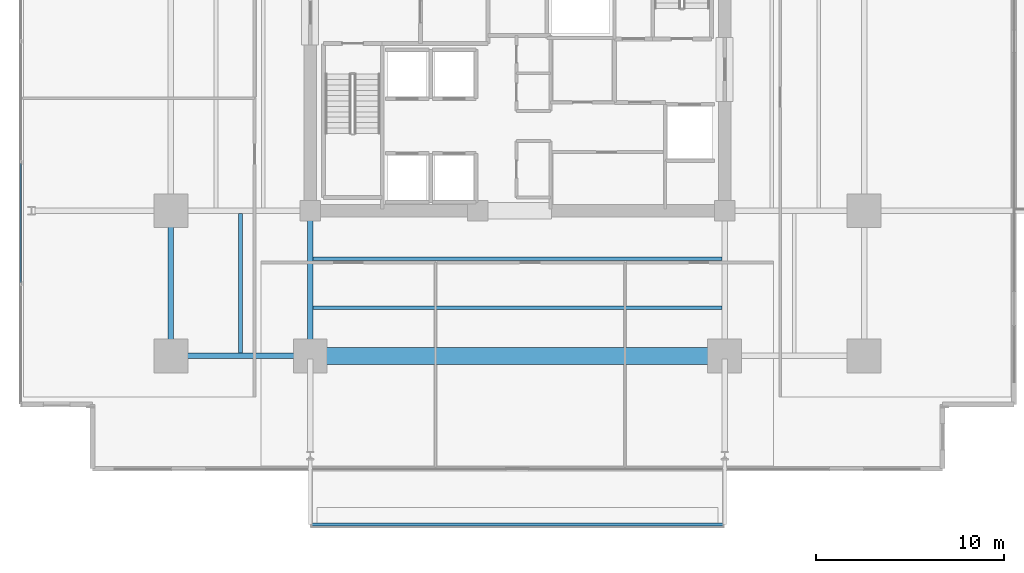
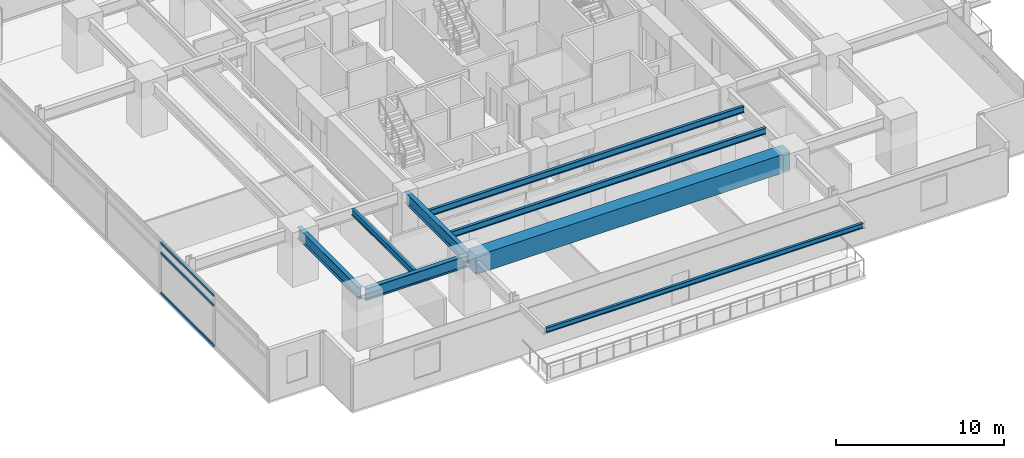
# One storey, part 3 of 23: 8 beams, 3 members, 1 element without a shape of its own.
"""IFC4 building model written with IfcOpenShell, lengths in metres."""

from ifc_helpers import new_model, si_unit, direction, frame, origin, origin_2d, place, context, subcontext, project, spatial, rectangle, hollow_rectangle, i_section, extrude, material, material_profile, profile_set, type_object, element, aggregate, save


model = new_model("IFC4")

# Units and contexts
model_context = context("Model", 3, precision=1e-05, world=origin(), true_north=direction((0.0, 1.0)))
body_context = subcontext(model_context, "Body", "Model", "MODEL_VIEW")
ifc_project = project(units=[si_unit("LENGTHUNIT", "METRE"), si_unit("AREAUNIT", "SQUARE_METRE"), si_unit("VOLUMEUNIT", "CUBIC_METRE"), si_unit("PLANEANGLEUNIT", "RADIAN"), si_unit("MASSUNIT", "GRAM", prefix="KILO")], contexts=[model_context])

# Site, building, storey
site_placement = place(None, origin())
site = spatial("IfcSite", under=ifc_project, at=site_placement, CompositionType="ELEMENT")
building_placement = place(site_placement, origin())
building = spatial("IfcBuilding", under=site, at=building_placement, Name="Kovane Verandah Tower", CompositionType="ELEMENT")
storey_placement = place(building_placement, frame((0.0, 0.0, 91.60009765625)))
storey = spatial("IfcBuildingStorey", under=building, at=storey_placement, Name="L21", CompositionType="ELEMENT", Elevation=91.60009765625)

# Beams
ifc_material_1 = material(Name="Concrete C80/95", Category="concrete")
ifc_material_profile_1 = material_profile(ifc_material_1, rectangle(XDim=0.89990234375, YDim=1.35009765625, at=origin_2d()), Name="RCB900x1350")
ifc_profile_set_1 = profile_set([ifc_material_profile_1], Name="Concrete C80/95")
beam_type_1 = type_object("IfcBeamType", Name="BM-TR-900x1350", PredefinedType="BEAM", material=ifc_profile_set_1)
beam_1_placement = place(storey_placement, frame((29.179931640625, 10.800048828125, 3.0849609375), z_axis=(1.0, 0.0, 0.0), x_axis=(0.0, 1.0, 0.0)))
element("IfcBeam", 1, at=beam_1_placement, inside=storey, type_object=beam_type_1, Name="L21 Primary Tower Girder G-RS2", PredefinedType="BEAM", context=body_context, shape_type="SweptSolid", body=[
    extrude(rectangle(XDim=0.89990234375, YDim=1.35009765625, at=origin_2d()), origin(), (0.0, 0.0, 1.0), 21.64013671875),
])
ifc_material_2 = material(Name="Steel S355", Category="steel")
ifc_material_profile_2 = material_profile(ifc_material_2, i_section(OverallWidth=0.293701171875, OverallDepth=0.850830078125, WebThickness=0.01611328125, FlangeThickness=0.02685546875, FilletRadius=0.017822265625, at=origin_2d()), Name="UB838x292x226")
ifc_profile_set_2 = profile_set([ifc_material_profile_2], Name="Steel S355")
beam_type_2 = type_object("IfcBeamType", Name="BM-UB838x226", PredefinedType="BEAM", material=ifc_profile_set_2)
beam_2_placement = place(storey_placement, frame((21.780029296875, 10.800048828125, 3.33447265625), z_axis=(1.0, 0.0, 0.0), x_axis=(0.0, 1.0, 0.0)))
element("IfcBeam", 2, at=beam_2_placement, inside=storey, type_object=beam_type_2, Name="L21 Primary Tower Girder G-RS1", PredefinedType="BEAM", context=body_context, shape_type="SweptSolid", body=[
    extrude(i_section(OverallWidth=0.293701171875, OverallDepth=0.850830078125, WebThickness=0.01611328125, FlangeThickness=0.02685546875, FilletRadius=0.017822265625, at=origin_2d()), origin(), (0.0, 0.0, 1.0), 7.0400390625),
])
for number, where, z_axis, x_axis, name in (
    (3, (21.60009765625, 10.97998046875, 3.33447265625), (0.0, 1.0, 0.0), (-1.0, 0.0, 0.0), "L21 Primary Tower Girder G-RW1"),
    (4, (29.0, 18.320068359375, 3.33447265625), (0.0, -1.0, 0.0), (1.0, 0.0, 0.0), "L21 Primary Tower Girder G-S1"),
):
    element("IfcBeam", number, at=place(storey_placement, frame(where, z_axis=z_axis, x_axis=x_axis)), inside=storey, type_object=beam_type_2, Name=name, PredefinedType="BEAM", context=body_context, shape_type="SweptSolid", body=[
        extrude(i_section(OverallWidth=0.293701171875, OverallDepth=0.850830078125, WebThickness=0.01611328125, FlangeThickness=0.02685546875, FilletRadius=0.017822265625, at=origin_2d()), origin(), (0.0, 0.0, 1.0), 7.340087890625),
    ])

# Curtain wall, members
ifc_material_3 = material(Name="Champagne Anodised Aluminium Frame with Low-E Clear Laminated Glass", Category="aluminium")
curtain_wall_type = type_object("IfcCurtainWallType", Name="CW-SYS-02-LOW", PredefinedType="NOTDEFINED", material=ifc_material_3)
curtain_wall_placement = place(storey_placement, origin())
curtain_wall = element("IfcCurtainWall", 5, at=curtain_wall_placement, inside=storey, type_object=curtain_wall_type, Name="L21 W Unitised Curtain Wall", PredefinedType="NOTDEFINED")
ifc_material_4 = material(Name="Champagne Anodised Aluminium 6063-T6", Category="aluminium")
ifc_material_profile_3 = material_profile(ifc_material_4, hollow_rectangle(XDim=0.0849609375, YDim=0.18994140625, WallThickness=0.00390625, at=origin_2d()), Name="AL85x190x4")
ifc_profile_set_3 = profile_set([ifc_material_profile_3], Name="Champagne Anodised Aluminium 6063-T6")
member_type = type_object("IfcMemberType", Name="CW-TRN-85x190", PredefinedType="USERDEFINED", material=ifc_profile_set_3)
member_1_placement = place(storey_placement, frame((13.635986328125, 21.018310546875, 0.0498046875), z_axis=(0.0, -1.0, 0.0), x_axis=(1.0, 0.0, 0.0)))
member_1 = element("IfcMember", 6, at=member_1_placement, type_object=member_type, Name="L21 W Unitised Curtain Wall Transom TB Bay 5", ObjectType="TRANSOM", PredefinedType="USERDEFINED", context=body_context, shape_type="SweptSolid", body=[
    extrude(hollow_rectangle(XDim=0.0849609375, YDim=0.18994140625, WallThickness=0.00390625, at=origin_2d()), origin(), (0.0, 0.0, 1.0), 6.33154296875),
])
member_2_placement = place(storey_placement, frame((13.635986328125, 21.018310546875, 2.97998046875), z_axis=(0.0, -1.0, 0.0), x_axis=(1.0, 0.0, 0.0)))
member_2 = element("IfcMember", 7, at=member_2_placement, type_object=member_type, Name="L21 W Unitised Curtain Wall Transom TM Bay 5", ObjectType="TRANSOM", PredefinedType="USERDEFINED", context=body_context, shape_type="SweptSolid", body=[
    extrude(hollow_rectangle(XDim=0.0849609375, YDim=0.18994140625, WallThickness=0.00390625, at=origin_2d()), origin(), (0.0, 0.0, 1.0), 6.33154296875),
])
member_3_placement = place(storey_placement, frame((13.635986328125, 21.018310546875, 3.7099609375), z_axis=(0.0, -1.0, 0.0), x_axis=(1.0, 0.0, 0.0)))
member_3 = element("IfcMember", 8, at=member_3_placement, type_object=member_type, Name="L21 W Unitised Curtain Wall Transom TT Bay 5", ObjectType="TRANSOM", PredefinedType="USERDEFINED", context=body_context, shape_type="SweptSolid", body=[
    extrude(hollow_rectangle(XDim=0.0849609375, YDim=0.18994140625, WallThickness=0.00390625, at=origin_2d()), origin(), (0.0, 0.0, 1.0), 6.33154296875),
])
aggregate(curtain_wall, [member_1, member_2, member_3])

# Beams
ifc_material_profile_4 = material_profile(ifc_material_2, i_section(OverallWidth=0.19287109375, OverallDepth=0.46728515625, WebThickness=0.011474609375, FlangeThickness=0.01953125, FilletRadius=0.01025390625, at=origin_2d()), Name="UB457x191x98")
ifc_profile_set_4 = profile_set([ifc_material_profile_4], Name="Steel S355")
beam_type_3 = type_object("IfcBeamType", Name="JST-UB457x98", PredefinedType="JOIST", material=ifc_profile_set_4)
for number, where, z_axis, x_axis, name in (
    (9, (29.14501953125, 13.35009765625, 3.5263671875), (1.0, 0.0, 0.0), (0.0, 1.0, 0.0), "L21 Secondary Composite Joist J-S1"),
    (10, (29.14501953125, 15.949951171875, 3.5263671875), (1.0, 0.0, 0.0), (0.0, 1.0, 0.0), "L21 Secondary Composite Joist J-S2"),
):
    element("IfcBeam", number, at=place(storey_placement, frame(where, z_axis=z_axis, x_axis=x_axis)), inside=storey, type_object=beam_type_3, Name=name, PredefinedType="JOIST", context=body_context, shape_type="SweptSolid", body=[
        extrude(i_section(OverallWidth=0.19287109375, OverallDepth=0.46728515625, WebThickness=0.011474609375, FlangeThickness=0.01953125, FilletRadius=0.01025390625, at=origin_2d()), origin(), (0.0, 0.0, 1.0), 21.7099609375),
    ])
beam_3_placement = place(storey_placement, frame((25.300048828125, 10.94482421875, 3.5263671875), z_axis=(0.0, 1.0, 0.0), x_axis=(-1.0, 0.0, 0.0)))
element("IfcBeam", 11, at=beam_3_placement, inside=storey, type_object=beam_type_3, Name="L21 Secondary Composite Joist J-SW1", PredefinedType="JOIST", context=body_context, shape_type="SweptSolid", body=[
    extrude(i_section(OverallWidth=0.19287109375, OverallDepth=0.46728515625, WebThickness=0.011474609375, FlangeThickness=0.01953125, FilletRadius=0.01025390625, at=origin_2d()), origin(), (0.0, 0.0, 1.0), 7.41015625),
])
ifc_material_profile_5 = material_profile(ifc_material_2, i_section(OverallWidth=0.173095703125, OverallDepth=0.36328125, WebThickness=0.009033203125, FlangeThickness=0.015625, FilletRadius=0.01025390625, at=origin_2d()), Name="UB356x171x67")
ifc_profile_set_5 = profile_set([ifc_material_profile_5], Name="Steel S355")
beam_type_4 = type_object("IfcBeamType", Name="SPD-UB356x67", PredefinedType="USERDEFINED", material=ifc_profile_set_5)
beam_4_placement = place(storey_placement, frame((29.094482421875, 1.839111328125, 3.578125), z_axis=(1.0, 0.0, 0.0), x_axis=(0.0, 1.0, 0.0)))
element("IfcBeam", 12, at=beam_4_placement, inside=storey, type_object=beam_type_4, Name="L21 South Planter Edge Spandrel", ObjectType="SPANDREL", PredefinedType="USERDEFINED", context=body_context, shape_type="SweptSolid", body=[
    extrude(i_section(OverallWidth=0.173095703125, OverallDepth=0.36328125, WebThickness=0.009033203125, FlangeThickness=0.015625, FilletRadius=0.01025390625, at=origin_2d()), origin(), (0.0, 0.0, 1.0), 21.81103515625),
])

save(model, "model.ifc")
